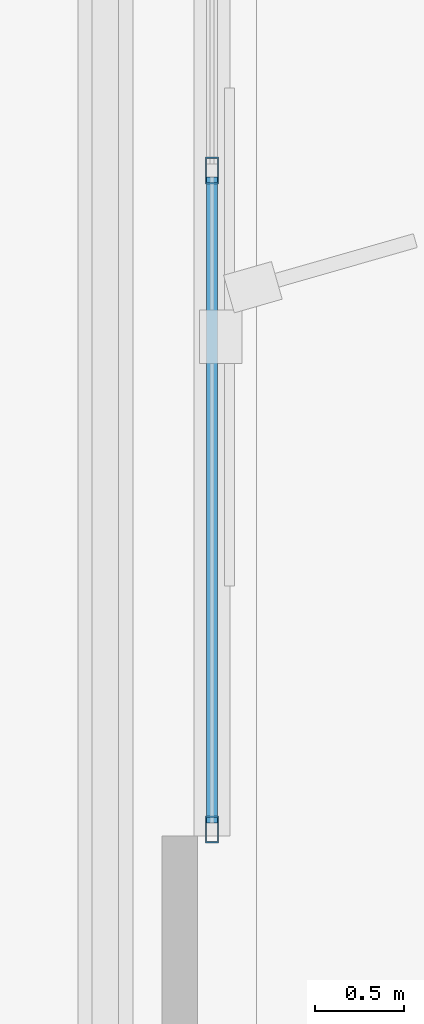
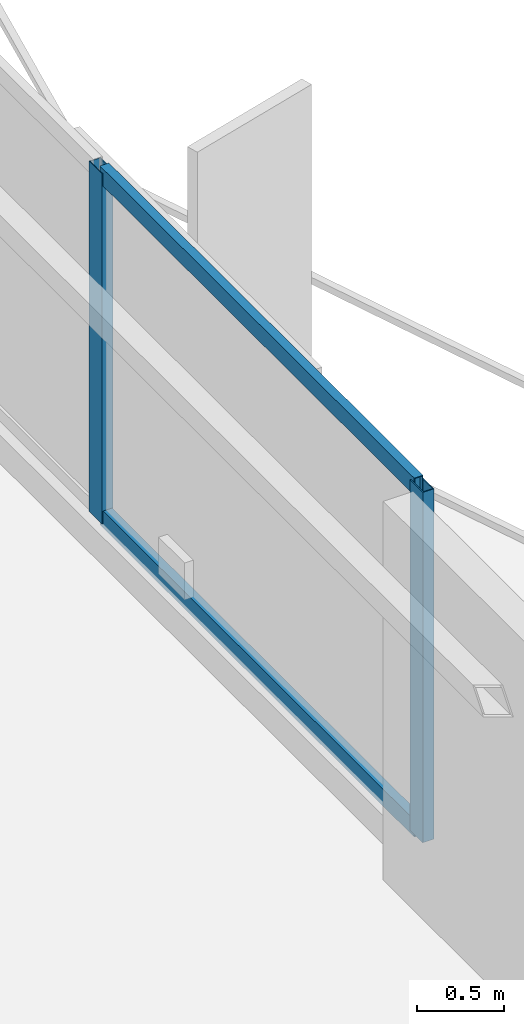
# One storey, part 8 of 22: 4 members, 1 element without a shape of its own.
"""IFC4 building model written with IfcOpenShell, lengths in metres."""

from ifc_helpers import new_model, si_unit, direction, frame, origin, origin_2d, place, context, subcontext, project, spatial, hollow_rectangle, extrude, material, layer, layer_set, material_profile, profile_set, type_object, element, aggregate, save


model = new_model("IFC4")

# Units and contexts
model_context = context("Model", 3, precision=1e-05, world=origin(), true_north=direction((0.0, 1.0)))
body_context = subcontext(model_context, "Body", "Model", "MODEL_VIEW")
ifc_project = project(units=[si_unit("LENGTHUNIT", "METRE"), si_unit("AREAUNIT", "SQUARE_METRE"), si_unit("VOLUMEUNIT", "CUBIC_METRE"), si_unit("PLANEANGLEUNIT", "RADIAN"), si_unit("MASSUNIT", "GRAM", prefix="KILO")], contexts=[model_context])

# Site, building, storey
site_placement = place(None, origin())
site = spatial("IfcSite", under=ifc_project, at=site_placement, CompositionType="ELEMENT")
building_placement = place(site_placement, origin())
building = spatial("IfcBuilding", under=site, at=building_placement, Name="Mersakhor Tower and Convention Hall", CompositionType="ELEMENT")
storey_placement = place(building_placement, frame((0.0, 0.0, 99.89990234375)))
storey = spatial("IfcBuildingStorey", under=building, at=storey_placement, Name="L27", CompositionType="ELEMENT", Elevation=99.89990234375)

# Curtain wall, members
ifc_material_1 = material(Name="Dark solar low-E aluminium curtain wall", Category="aluminium")
ifc_layer = layer(ifc_material_1, 0.159912109375)
ifc_layer_set = layer_set([ifc_layer], Name="Dark solar low-E aluminium curtain wall")
curtain_wall_type = type_object("IfcCurtainWallType", Name="CW-SYS-01", PredefinedType="USERDEFINED", material=ifc_layer_set)
curtain_wall_placement = place(storey_placement, origin())
curtain_wall = element("IfcCurtainWall", 1, at=curtain_wall_placement, inside=storey, type_object=curtain_wall_type, Name="L27 Dark-Glass Curtain Wall F2-B2", ObjectType="CURTAIN WALL", PredefinedType="USERDEFINED")
ifc_material_2 = material(Name="Anodised aluminium EN AW-6063 T6", Category="aluminium")
ifc_material_profile_1 = material_profile(ifc_material_2, hollow_rectangle(XDim=0.074951171875, YDim=0.14990234375, WallThickness=0.00634765625, at=origin_2d()), Name="RHS 150x75x6.3")
ifc_profile_set_1 = profile_set([ifc_material_profile_1], Name="Anodised aluminium EN AW-6063 T6")
member_type_1 = type_object("IfcMemberType", Name="CWM-150x75", PredefinedType="MULLION", material=ifc_profile_set_1)
member_1_placement = place(storey_placement, frame((43.03466796875, 24.87841796875, 0.2001953125), z_axis=(0.0, 0.0, 1.0), x_axis=(1.0, 0.0, 0.0)))
member_1 = element("IfcMember", 2, at=member_1_placement, type_object=member_type_1, Name="CW-01 mullion 3", PredefinedType="MULLION", context=body_context, shape_type="SweptSolid", body=[
    extrude(hollow_rectangle(XDim=0.074951171875, YDim=0.14990234375, WallThickness=0.00634765625, at=origin_2d()), origin(), (0.0, 0.0, 1.0), 2.469970703125),
])
member_2_placement = place(storey_placement, frame((43.03466796875, 21.172607421875, 0.2001953125), z_axis=(0.0, 0.0, 1.0), x_axis=(1.0, 0.0, 0.0)))
member_2 = element("IfcMember", 3, at=member_2_placement, type_object=member_type_1, Name="CW-01 mullion 4", PredefinedType="MULLION", context=body_context, shape_type="SweptSolid", body=[
    extrude(hollow_rectangle(XDim=0.074951171875, YDim=0.14990234375, WallThickness=0.00634765625, at=origin_2d()), origin(), (0.0, 0.0, 1.0), 2.469970703125),
])
ifc_material_3 = material(Name="Anodised aluminium EN AW-6063 T6", Category="aluminium")
ifc_material_profile_2 = material_profile(ifc_material_3, hollow_rectangle(XDim=0.06005859375, YDim=0.1201171875, WallThickness=0.0048828125, at=origin_2d()), Name="RHS 120x60x5")
ifc_profile_set_2 = profile_set([ifc_material_profile_2], Name="Anodised aluminium EN AW-6063 T6")
member_type_2 = type_object("IfcMemberType", Name="CWT-120x60", PredefinedType="USERDEFINED", material=ifc_profile_set_2)
member_3_placement = place(storey_placement, frame((43.03466796875, 24.8408203125, 0.22998046875), z_axis=(0.0, -1.0, 0.0), x_axis=(1.0, 0.0, 0.0)))
member_3 = element("IfcMember", 4, at=member_3_placement, type_object=member_type_2, Name="CW-01 transom 3.1", ObjectType="TRANSOM", PredefinedType="USERDEFINED", context=body_context, shape_type="SweptSolid", body=[
    extrude(hollow_rectangle(XDim=0.06005859375, YDim=0.1201171875, WallThickness=0.0048828125, at=origin_2d()), origin(), (0.0, 0.0, 1.0), 3.630615234375),
])
member_4_placement = place(storey_placement, frame((43.03466796875, 24.8408203125, 2.64013671875), z_axis=(0.0, -1.0, 0.0), x_axis=(1.0, 0.0, 0.0)))
member_4 = element("IfcMember", 5, at=member_4_placement, type_object=member_type_2, Name="CW-01 transom 3.2", ObjectType="TRANSOM", PredefinedType="USERDEFINED", context=body_context, shape_type="SweptSolid", body=[
    extrude(hollow_rectangle(XDim=0.06005859375, YDim=0.1201171875, WallThickness=0.0048828125, at=origin_2d()), origin(), (0.0, 0.0, 1.0), 3.630615234375),
])
aggregate(curtain_wall, [member_1, member_2, member_3, member_4])

save(model, "model.ifc")
